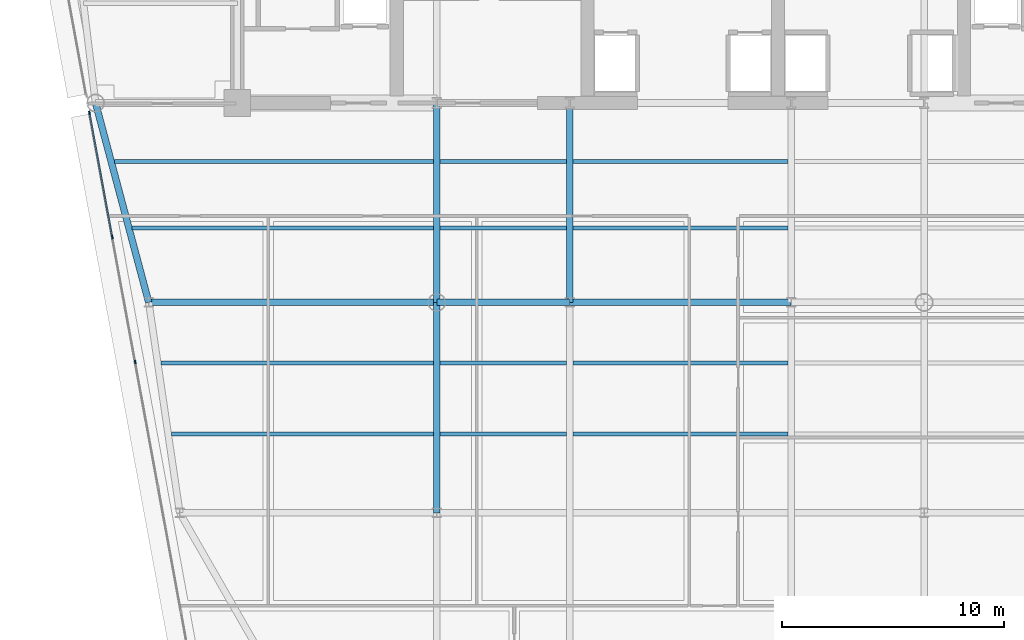
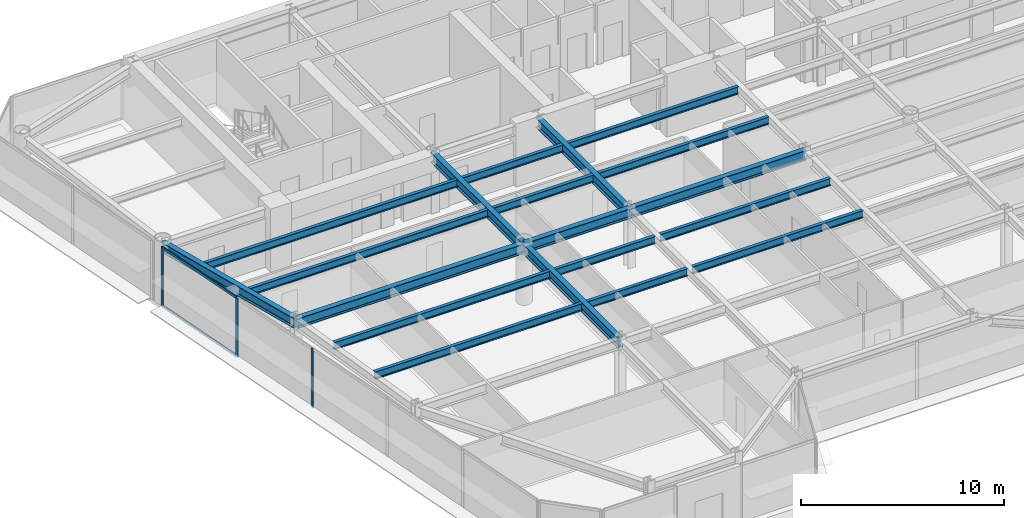
# One storey, part 4 of 17: 19 beams, 5 members, 1 element without a shape of its own.
"""IFC4 building model written with IfcOpenShell, lengths in metres."""

from ifc_helpers import new_model, si_unit, direction, frame, origin, origin_2d, place, context, subcontext, project, spatial, rectangle, i_section, extrude, source, transform, mapped, material, layer, layer_set, material_profile, profile_set, type_object, element, aggregate, save


model = new_model("IFC4")

# Units and contexts
model_context = context("Model", 3, precision=1e-05, world=origin(), true_north=direction((0.0, 1.0)))
body_context = subcontext(model_context, "Body", "Model", "MODEL_VIEW")
ifc_project = project(units=[si_unit("LENGTHUNIT", "METRE"), si_unit("AREAUNIT", "SQUARE_METRE"), si_unit("VOLUMEUNIT", "CUBIC_METRE"), si_unit("PLANEANGLEUNIT", "RADIAN"), si_unit("MASSUNIT", "GRAM", prefix="KILO")], contexts=[model_context])

# Site, building, storey
site_placement = place(None, origin())
site = spatial("IfcSite", under=ifc_project, at=site_placement, CompositionType="ELEMENT")
building_placement = place(site_placement, origin())
building = spatial("IfcBuilding", under=site, at=building_placement, Name="Vaeldorn Concourse Tower", CompositionType="ELEMENT")
storey_placement = place(building_placement, frame((0.0, 0.0, 180.39990234375)))
storey = spatial("IfcBuildingStorey", under=building, at=storey_placement, Name="L46", CompositionType="ELEMENT", Elevation=180.39990234375)

# Beams
ifc_material_1 = material(Name="Steel S355", Category="steel")
ifc_material_profile_1 = material_profile(ifc_material_1, i_section(OverallWidth=0.18994140625, OverallDepth=0.449951171875, WebThickness=0.009521484375, FlangeThickness=0.0146484375, FilletRadius=0.02099609375, at=origin_2d()), Name="IPE 450")
ifc_profile_set_1 = profile_set([ifc_material_profile_1], Name="Steel S355")
beam_type_1 = type_object("IfcBeamType", Name="BM-JS-IPE450", PredefinedType="JOIST", material=ifc_profile_set_1)
shared_shape_1 = source(origin(), body_context, "Body", "SweptSolid", [
    extrude(i_section(OverallWidth=0.18994140625, OverallDepth=0.449951171875, WebThickness=0.009521484375, FlangeThickness=0.0146484375, FilletRadius=0.02099609375, at=origin_2d()), origin(), (0.0, 0.0, 1.0), 5.7001953125),
])
for number, where, z_axis, x_axis, name in (
    (1, (23.14990234375, 21.56005859375, 3.35498046875), (1.0, 0.0, 0.0), (0.0, 1.0, 0.0), "Beam JS-L46-W2-215"),
    (2, (23.14990234375, 24.760009765625, 3.35498046875), (1.0, 0.0, 0.0), (0.0, 1.0, 0.0), "Beam JS-L46-W2-247"),
    (3, (23.14990234375, 30.860107421875, 3.35498046875), (1.0, 0.0, 0.0), (0.0, 1.0, 0.0), "Beam JS-L46-W2-308"),
    (4, (23.14990234375, 33.860107421875, 3.35498046875), (1.0, 0.0, 0.0), (0.0, 1.0, 0.0), "Beam JS-L46-W2-338"),
):
    element("IfcBeam", number, at=place(storey_placement, frame(where, z_axis=z_axis, x_axis=x_axis)), inside=storey, type_object=beam_type_1, Name=name, PredefinedType="JOIST", context=body_context, shape_type="MappedRepresentation", body=[
        mapped(shared_shape_1, transform((0.0, 0.0, 0.0), scale=1.0)),
    ])
shared_shape_2 = source(origin(), body_context, "Body", "SweptSolid", [
    extrude(i_section(OverallWidth=0.18994140625, OverallDepth=0.449951171875, WebThickness=0.009521484375, FlangeThickness=0.0146484375, FilletRadius=0.02099609375, at=origin_2d()), origin(), (0.0, 0.0, 1.0), 9.7001953125),
])
for number, where, z_axis, x_axis, name in (
    (5, (29.14990234375, 21.56005859375, 3.35498046875), (1.0, 0.0, 0.0), (0.0, 1.0, 0.0), "Beam JS-L46-C-215"),
    (6, (29.14990234375, 24.760009765625, 3.35498046875), (1.0, 0.0, 0.0), (0.0, 1.0, 0.0), "Beam JS-L46-C-247"),
    (7, (29.14990234375, 30.860107421875, 3.35498046875), (1.0, 0.0, 0.0), (0.0, 1.0, 0.0), "Beam JS-L46-C-308"),
    (8, (29.14990234375, 33.860107421875, 3.35498046875), (1.0, 0.0, 0.0), (0.0, 1.0, 0.0), "Beam JS-L46-C-338"),
):
    element("IfcBeam", number, at=place(storey_placement, frame(where, z_axis=z_axis, x_axis=x_axis)), inside=storey, type_object=beam_type_1, Name=name, PredefinedType="JOIST", context=body_context, shape_type="MappedRepresentation", body=[
        mapped(shared_shape_2, transform((0.0, 0.0, 0.0), scale=1.0)),
    ])
shared_shape_3 = source(origin(), body_context, "Body", "SweptSolid", [
    extrude(i_section(OverallWidth=0.18994140625, OverallDepth=0.449951171875, WebThickness=0.009521484375, FlangeThickness=0.0146484375, FilletRadius=0.02099609375, at=origin_2d()), origin(), (0.0, 0.0, 1.0), 11.82470703125),
])
beam_1_placement = place(storey_placement, frame((11.025390625, 21.56005859375, 3.35498046875), z_axis=(1.0, 0.0, 0.0), x_axis=(0.0, 1.0, 0.0)))
element("IfcBeam", 9, at=beam_1_placement, inside=storey, type_object=beam_type_1, Name="Beam JS-L46-W1-215", PredefinedType="JOIST", context=body_context, shape_type="MappedRepresentation", body=[
    mapped(shared_shape_3, transform((0.0, 0.0, 0.0), scale=1.0)),
])
shared_shape_4 = source(origin(), body_context, "Body", "SweptSolid", [
    extrude(i_section(OverallWidth=0.18994140625, OverallDepth=0.449951171875, WebThickness=0.009521484375, FlangeThickness=0.0146484375, FilletRadius=0.02099609375, at=origin_2d()), origin(), (0.0, 0.0, 1.0), 12.29638671875),
])
beam_2_placement = place(storey_placement, frame((10.5537109375, 24.760009765625, 3.35498046875), z_axis=(1.0, 0.0, 0.0), x_axis=(0.0, 1.0, 0.0)))
element("IfcBeam", 10, at=beam_2_placement, inside=storey, type_object=beam_type_1, Name="Beam JS-L46-W1-247", PredefinedType="JOIST", context=body_context, shape_type="MappedRepresentation", body=[
    mapped(shared_shape_4, transform((0.0, 0.0, 0.0), scale=1.0)),
])
shared_shape_5 = source(origin(), body_context, "Body", "SweptSolid", [
    extrude(i_section(OverallWidth=0.18994140625, OverallDepth=0.449951171875, WebThickness=0.009521484375, FlangeThickness=0.0146484375, FilletRadius=0.02099609375, at=origin_2d()), origin(), (0.0, 0.0, 1.0), 13.59619140625),
])
beam_3_placement = place(storey_placement, frame((9.25390625, 30.860107421875, 3.35498046875), z_axis=(1.0, 0.0, 0.0), x_axis=(0.0, 1.0, 0.0)))
element("IfcBeam", 11, at=beam_3_placement, inside=storey, type_object=beam_type_1, Name="Beam JS-L46-W1-308", PredefinedType="JOIST", context=body_context, shape_type="MappedRepresentation", body=[
    mapped(shared_shape_5, transform((0.0, 0.0, 0.0), scale=1.0)),
])
shared_shape_6 = source(origin(), body_context, "Body", "SweptSolid", [
    extrude(i_section(OverallWidth=0.18994140625, OverallDepth=0.449951171875, WebThickness=0.009521484375, FlangeThickness=0.0146484375, FilletRadius=0.02099609375, at=origin_2d()), origin(), (0.0, 0.0, 1.0), 14.39599609375),
])
beam_4_placement = place(storey_placement, frame((8.4541015625, 33.860107421875, 3.35498046875), z_axis=(1.0, 0.0, 0.0), x_axis=(0.0, 1.0, 0.0)))
element("IfcBeam", 12, at=beam_4_placement, inside=storey, type_object=beam_type_1, Name="Beam JS-L46-W1-338", PredefinedType="JOIST", context=body_context, shape_type="MappedRepresentation", body=[
    mapped(shared_shape_6, transform((0.0, 0.0, 0.0), scale=1.0)),
])
ifc_material_profile_2 = material_profile(ifc_material_1, i_section(OverallWidth=0.300048828125, OverallDepth=0.60009765625, WebThickness=0.015380859375, FlangeThickness=0.030029296875, FilletRadius=0.027099609375, at=origin_2d()), Name="HEB 600")
ifc_profile_set_2 = profile_set([ifc_material_profile_2], Name="Steel S355")
beam_type_2 = type_object("IfcBeamType", Name="BM-PG-HEB600", PredefinedType="BEAM", material=ifc_profile_set_2)
shared_shape_7 = source(origin(), body_context, "Body", "SweptSolid", [
    extrude(i_section(OverallWidth=0.300048828125, OverallDepth=0.60009765625, WebThickness=0.015380859375, FlangeThickness=0.030029296875, FilletRadius=0.027099609375, at=origin_2d()), origin(), (0.0, 0.0, 1.0), 6.0),
])
beam_5_placement = place(storey_placement, frame((23.0, 27.5, 3.280029296875), z_axis=(1.0, 0.0, 0.0), x_axis=(0.0, 1.0, 0.0)))
element("IfcBeam", 13, at=beam_5_placement, inside=storey, type_object=beam_type_2, Name="Beam BM-L46-C-TW1-C-TW2", PredefinedType="BEAM", context=body_context, shape_type="MappedRepresentation", body=[
    mapped(shared_shape_7, transform((0.0, 0.0, 0.0), scale=1.0)),
])
shared_shape_8 = source(origin(), body_context, "Body", "SweptSolid", [
    extrude(i_section(OverallWidth=0.300048828125, OverallDepth=0.60009765625, WebThickness=0.015380859375, FlangeThickness=0.030029296875, FilletRadius=0.027099609375, at=origin_2d()), origin(), (0.0, 0.0, 1.0), 10.0),
])
beam_6_placement = place(storey_placement, frame((29.0, 27.5, 3.280029296875), z_axis=(1.0, 0.0, 0.0), x_axis=(0.0, 1.0, 0.0)))
element("IfcBeam", 14, at=beam_6_placement, inside=storey, type_object=beam_type_2, Name="Beam BM-L46-C-TW2-C-TW3", PredefinedType="BEAM", context=body_context, shape_type="MappedRepresentation", body=[
    mapped(shared_shape_8, transform((0.0, 0.0, 0.0), scale=1.0)),
])
shared_shape_9 = source(origin(), body_context, "Body", "SweptSolid", [
    extrude(i_section(OverallWidth=0.300048828125, OverallDepth=0.60009765625, WebThickness=0.015380859375, FlangeThickness=0.030029296875, FilletRadius=0.027099609375, at=origin_2d()), origin(), (0.0, 0.0, 1.0), 9.0),
])
for number, where, z_axis, x_axis, name in (
    (15, (23.0, 27.5, 3.280029296875), (0.0, 1.0, 0.0), (-1.0, 0.0, 0.0), "Beam BM-L46-C-TW1-C-FC2"),
    (16, (29.0, 27.5, 3.280029296875), (0.0, 1.0, 0.0), (-1.0, 0.0, 0.0), "Beam BM-L46-C-TW2-C-FC3"),
):
    element("IfcBeam", number, at=place(storey_placement, frame(where, z_axis=z_axis, x_axis=x_axis)), inside=storey, type_object=beam_type_2, Name=name, PredefinedType="BEAM", context=body_context, shape_type="MappedRepresentation", body=[
        mapped(shared_shape_9, transform((0.0, 0.0, 0.0), scale=1.0)),
    ])
shared_shape_10 = source(origin(), body_context, "Body", "SweptSolid", [
    extrude(i_section(OverallWidth=0.300048828125, OverallDepth=0.60009765625, WebThickness=0.015380859375, FlangeThickness=0.030029296875, FilletRadius=0.027099609375, at=origin_2d()), origin(), (0.0, 0.0, 1.0), 9.314453125),
])
beam_7_placement = place(storey_placement, frame((7.60009765625, 36.5, 3.280029296875), z_axis=(0.257652862255, -0.966237549763, 0.0), x_axis=(0.966237549763, 0.257652862255, 0.0)))
element("IfcBeam", 17, at=beam_7_placement, inside=storey, type_object=beam_type_2, Name="Beam BM-L46-C-NW2-C-FLW1", PredefinedType="BEAM", context=body_context, shape_type="MappedRepresentation", body=[
    mapped(shared_shape_10, transform((0.0, 0.0, 0.0), scale=1.0)),
])
shared_shape_11 = source(origin(), body_context, "Body", "SweptSolid", [
    extrude(i_section(OverallWidth=0.300048828125, OverallDepth=0.60009765625, WebThickness=0.015380859375, FlangeThickness=0.030029296875, FilletRadius=0.027099609375, at=origin_2d()), origin(), (0.0, 0.0, 1.0), 13.0),
])
beam_8_placement = place(storey_placement, frame((10.0, 27.5, 3.280029296875), z_axis=(1.0, 0.0, 0.0), x_axis=(0.0, 1.0, 0.0)))
element("IfcBeam", 18, at=beam_8_placement, inside=storey, type_object=beam_type_2, Name="Beam BM-L46-C-FLW1-C-TW1", PredefinedType="BEAM", context=body_context, shape_type="MappedRepresentation", body=[
    mapped(shared_shape_11, transform((0.0, 0.0, 0.0), scale=1.0)),
])
shared_shape_12 = source(origin(), body_context, "Body", "SweptSolid", [
    extrude(i_section(OverallWidth=0.300048828125, OverallDepth=0.60009765625, WebThickness=0.015380859375, FlangeThickness=0.030029296875, FilletRadius=0.027099609375, at=origin_2d()), origin(), (0.0, 0.0, 1.0), 9.5),
])
beam_9_placement = place(storey_placement, frame((23.0, 18.0, 3.280029296875), z_axis=(0.0, 1.0, 0.0), x_axis=(-1.0, 0.0, 0.0)))
element("IfcBeam", 19, at=beam_9_placement, inside=storey, type_object=beam_type_2, Name="Beam BM-L46-C-TW5-C-TW1", PredefinedType="BEAM", context=body_context, shape_type="MappedRepresentation", body=[
    mapped(shared_shape_12, transform((0.0, 0.0, 0.0), scale=1.0)),
])

# Curtain wall, members
ifc_material_2 = material(Name="Anodised Bronze Aluminium", Category="aluminium")
ifc_layer = layer(ifc_material_2, 0.2099609375)
ifc_layer_set = layer_set([ifc_layer], Name="Anodised Bronze Aluminium")
curtain_wall_type = type_object("IfcCurtainWallType", Name="CW-SYS-06", PredefinedType="NOTDEFINED", material=ifc_layer_set)
curtain_wall_placement = place(storey_placement, origin())
curtain_wall = element("IfcCurtainWall", 20, at=curtain_wall_placement, inside=storey, type_object=curtain_wall_type, Name="Unitised Curtain Wall CW-L46-E11-2", PredefinedType="NOTDEFINED")
ifc_material_profile_3 = material_profile(ifc_material_2, rectangle(XDim=0.06494140625, YDim=0.169921875, at=origin_2d()), Name="CWM 65x170")
ifc_profile_set_3 = profile_set([ifc_material_profile_3], Name="Anodised Bronze Aluminium")
member_type_1 = type_object("IfcMemberType", Name="CWM-BRONZE-170", PredefinedType="MULLION", material=ifc_profile_set_3)
shared_shape_13 = source(origin(), body_context, "Body", "SweptSolid", [
    extrude(rectangle(XDim=0.06494140625, YDim=0.169921875, at=origin_2d()), origin(), (0.0, 0.0, 1.0), 3.580078125),
])
member_1_placement = place(storey_placement, frame((7.322265625, 36.051513671875, 0.0), z_axis=(0.0, 0.0, 1.0), x_axis=(0.983559325018, 0.180585309951, 0.0)))
member_1 = element("IfcMember", 21, at=member_1_placement, type_object=member_type_1, Name="CW-06 mullion 1", PredefinedType="MULLION", context=body_context, shape_type="MappedRepresentation", body=[
    mapped(shared_shape_13, transform((0.0, 0.0, 0.0), scale=1.0)),
])
member_2_placement = place(storey_placement, frame((8.351318359375, 30.44677734375, 0.0), z_axis=(0.0, 0.0, 1.0), x_axis=(0.983559325018, 0.180585309951, 0.0)))
member_2 = element("IfcMember", 22, at=member_2_placement, type_object=member_type_1, Name="CW-06 mullion 2", PredefinedType="MULLION", context=body_context, shape_type="MappedRepresentation", body=[
    mapped(shared_shape_13, transform((0.0, 0.0, 0.0), scale=1.0)),
])
member_3_placement = place(storey_placement, frame((9.38623046875, 24.81005859375, 0.0), z_axis=(0.0, 0.0, 1.0), x_axis=(0.983559325018, 0.180585309951, 0.0)))
member_3 = element("IfcMember", 23, at=member_3_placement, type_object=member_type_1, Name="CW-06 mullion 3", PredefinedType="MULLION", context=body_context, shape_type="MappedRepresentation", body=[
    mapped(shared_shape_13, transform((0.0, 0.0, 0.0), scale=1.0)),
])
ifc_material_profile_4 = material_profile(ifc_material_2, rectangle(XDim=0.06494140625, YDim=0.14990234375, at=origin_2d()), Name="CWT 65x150")
ifc_profile_set_4 = profile_set([ifc_material_profile_4], Name="Anodised Bronze Aluminium")
member_type_2 = type_object("IfcMemberType", Name="CWT-BRONZE-150", PredefinedType="USERDEFINED", material=ifc_profile_set_4)
shared_shape_14 = source(origin(), body_context, "Body", "SweptSolid", [
    extrude(rectangle(XDim=0.06494140625, YDim=0.14990234375, at=origin_2d()), origin(), (0.0, 0.0, 1.0), 5.63330078125),
])
member_4_placement = place(storey_placement, frame((7.328125, 36.01953125, 0.03271484375), z_axis=(0.180589917692, -0.983558479008, 0.0), x_axis=(0.983558479008, 0.180589917692, 0.0)))
member_4 = element("IfcMember", 24, at=member_4_placement, type_object=member_type_2, Name="CW-06 transom 1.1", ObjectType="TRANSOM", PredefinedType="USERDEFINED", context=body_context, shape_type="MappedRepresentation", body=[
    mapped(shared_shape_14, transform((0.0, 0.0, 0.0), scale=1.0)),
])
member_5_placement = place(storey_placement, frame((7.328125, 36.01953125, 3.547607421875), z_axis=(0.180589917692, -0.983558479008, 0.0), x_axis=(0.983558479008, 0.180589917692, 0.0)))
member_5 = element("IfcMember", 25, at=member_5_placement, type_object=member_type_2, Name="CW-06 transom 1.2", ObjectType="TRANSOM", PredefinedType="USERDEFINED", context=body_context, shape_type="MappedRepresentation", body=[
    mapped(shared_shape_14, transform((0.0, 0.0, 0.0), scale=1.0)),
])
aggregate(curtain_wall, [member_1, member_2, member_3, member_4, member_5])

save(model, "model.ifc")
